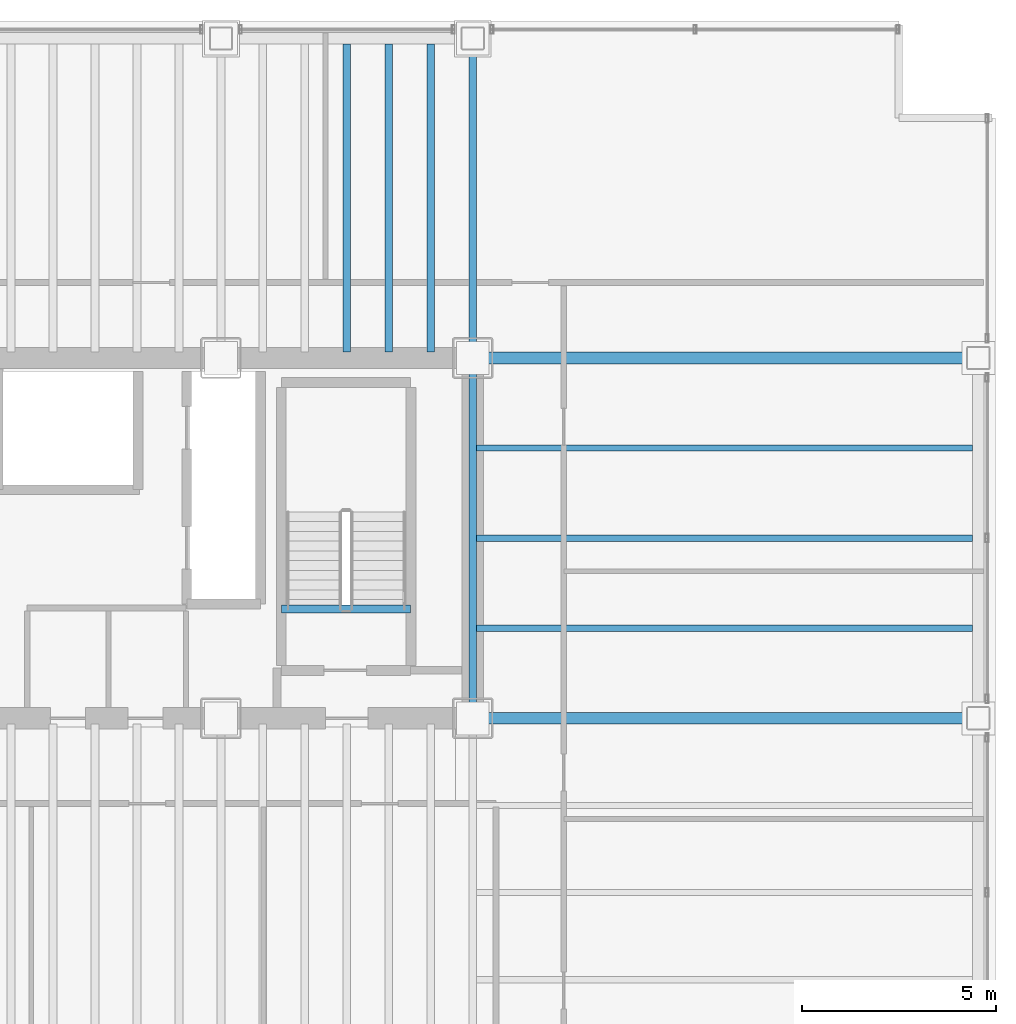
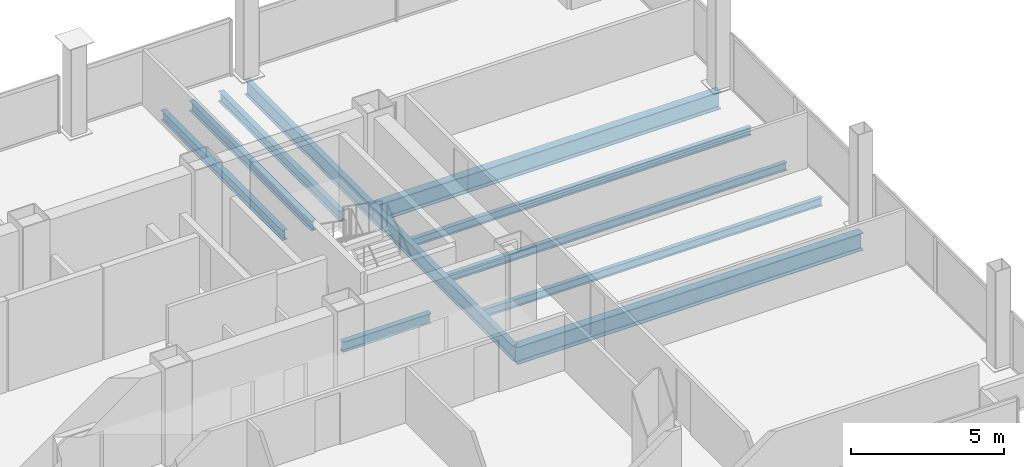
# One storey, part 11 of 21: 11 beams.
"""IFC4 building model written with IfcOpenShell, lengths in metres."""

from ifc_helpers import new_model, si_unit, direction, frame, origin, origin_2d, place, context, subcontext, project, spatial, i_section, extrude, material, material_profile, profile_set, type_object, element, save


model = new_model("IFC4")

# Units and contexts
model_context = context("Model", 3, precision=1e-05, world=origin(), true_north=direction((0.0, 1.0)))
body_context = subcontext(model_context, "Body", "Model", "MODEL_VIEW")
ifc_project = project(units=[si_unit("LENGTHUNIT", "METRE"), si_unit("AREAUNIT", "SQUARE_METRE"), si_unit("VOLUMEUNIT", "CUBIC_METRE"), si_unit("PLANEANGLEUNIT", "RADIAN"), si_unit("MASSUNIT", "GRAM", prefix="KILO")], contexts=[model_context])

# Site, building, storey
site_placement = place(None, origin())
site = spatial("IfcSite", under=ifc_project, at=site_placement, CompositionType="ELEMENT")
building_placement = place(site_placement, origin())
building = spatial("IfcBuilding", under=site, at=building_placement, Name="Noeulbin Bourse Tower", CompositionType="ELEMENT")
storey_placement = place(building_placement, frame((0.0, 0.0, 77.199951171875)))
storey = spatial("IfcBuildingStorey", under=building, at=storey_placement, Name="L19", CompositionType="ELEMENT", Elevation=77.199951171875)

# Beams
ifc_material = material(Name="Steel S355", Category="steel")
ifc_material_profile_1 = material_profile(ifc_material, i_section(OverallWidth=0.199951171875, OverallDepth=0.60009765625, WebThickness=0.010986328125, FlangeThickness=0.01708984375, FilletRadius=0.02197265625, at=origin_2d()), Name="H-600x200x11x17", Category="LoadBearing")
ifc_profile_set_1 = profile_set([ifc_material_profile_1], Name="Steel S355")
beam_type_1 = type_object("IfcBeamType", Name="BM-GRD-600", PredefinedType="USERDEFINED", material=ifc_profile_set_1)
beam_1_placement = place(storey_placement, frame((44.0, 29.0, -0.47998046875), z_axis=(0.0, 1.0, 0.0), x_axis=(-1.0, 0.0, 0.0)))
element("IfcBeam", 1, at=beam_1_placement, inside=storey, type_object=beam_type_1, Name="Tower Primary Girder NS L19-5.3", ObjectType="GIRDER", PredefinedType="USERDEFINED", context=body_context, shape_type="SweptSolid", body=[
    extrude(i_section(OverallWidth=0.199951171875, OverallDepth=0.60009765625, WebThickness=0.010986328125, FlangeThickness=0.01708984375, FilletRadius=0.02197265625, at=origin_2d()), origin(), (0.0, 0.0, 1.0), 9.300048828125),
])
beam_2_placement = place(storey_placement, frame((44.0, 38.300048828125, -0.47998046875), z_axis=(0.0, 1.0, 0.0), x_axis=(-1.0, 0.0, 0.0)))
element("IfcBeam", 2, at=beam_2_placement, inside=storey, type_object=beam_type_1, Name="Tower Primary Girder NS L19-5.4", ObjectType="GIRDER", PredefinedType="USERDEFINED", context=body_context, shape_type="SweptSolid", body=[
    extrude(i_section(OverallWidth=0.199951171875, OverallDepth=0.60009765625, WebThickness=0.010986328125, FlangeThickness=0.01708984375, FilletRadius=0.02197265625, at=origin_2d()), origin(), (0.0, 0.0, 1.0), 8.25),
])
ifc_material_profile_2 = material_profile(ifc_material, i_section(OverallWidth=0.300048828125, OverallDepth=0.699951171875, WebThickness=0.012939453125, FlangeThickness=0.02392578125, FilletRadius=0.02392578125, at=origin_2d()), Name="H-700x300x13x24", Category="LoadBearing")
ifc_profile_set_2 = profile_set([ifc_material_profile_2], Name="Steel S355")
beam_type_2 = type_object("IfcBeamType", Name="BM-GRD-700", PredefinedType="USERDEFINED", material=ifc_profile_set_2)
for number, where, z_axis, x_axis, name in (
    (3, (44.0, 29.0, -0.530029296875), (1.0, 0.0, 0.0), (0.0, 1.0, 0.0), "Tower Primary Girder EW L19-2.6"),
    (4, (44.0, 38.300048828125, -0.530029296875), (1.0, 0.0, 0.0), (0.0, 1.0, 0.0), "Tower Primary Girder EW L19-3.6"),
):
    element("IfcBeam", number, at=place(storey_placement, frame(where, z_axis=z_axis, x_axis=x_axis)), inside=storey, type_object=beam_type_2, Name=name, ObjectType="GIRDER", PredefinedType="USERDEFINED", context=body_context, shape_type="SweptSolid", body=[
        extrude(i_section(OverallWidth=0.300048828125, OverallDepth=0.699951171875, WebThickness=0.012939453125, FlangeThickness=0.02392578125, FilletRadius=0.02392578125, at=origin_2d()), origin(), (0.0, 0.0, 1.0), 13.050048828125),
    ])
ifc_material_profile_3 = material_profile(ifc_material, i_section(OverallWidth=0.159912109375, OverallDepth=0.320068359375, WebThickness=0.006591796875, FlangeThickness=0.010009765625, FilletRadius=0.012939453125, at=origin_2d()), Name="H-320x160x6.5x10", Category="LoadBearing")
ifc_profile_set_3 = profile_set([ifc_material_profile_3], Name="Steel S355")
beam_type_3 = type_object("IfcBeamType", Name="BM-JST-320", PredefinedType="JOIST", material=ifc_profile_set_3)
for number, where, z_axis, x_axis, name in (
    (5, (44.10009765625, 31.324951171875, -0.33984375), (1.0, 0.0, 0.0), (0.0, 1.0, 0.0), "Wing Composite Joist L19-E79"),
    (6, (44.10009765625, 33.64990234375, -0.33984375), (1.0, 0.0, 0.0), (0.0, 1.0, 0.0), "Wing Composite Joist L19-E80"),
    (7, (44.10009765625, 35.97509765625, -0.33984375), (1.0, 0.0, 0.0), (0.0, 1.0, 0.0), "Wing Composite Joist L19-E81"),
):
    element("IfcBeam", number, at=place(storey_placement, frame(where, z_axis=z_axis, x_axis=x_axis)), inside=storey, type_object=beam_type_3, Name=name, PredefinedType="JOIST", context=body_context, shape_type="SweptSolid", body=[
        extrude(i_section(OverallWidth=0.159912109375, OverallDepth=0.320068359375, WebThickness=0.006591796875, FlangeThickness=0.010009765625, FilletRadius=0.012939453125, at=origin_2d()), origin(), (0.0, 0.0, 1.0), 12.7998046875),
    ])
ifc_material_profile_4 = material_profile(ifc_material, i_section(OverallWidth=0.199951171875, OverallDepth=0.39990234375, WebThickness=0.008056640625, FlangeThickness=0.012939453125, FilletRadius=0.01611328125, at=origin_2d()), Name="H-400x200x8x13", Category="LoadBearing")
ifc_profile_set_4 = profile_set([ifc_material_profile_4], Name="Steel S355")
beam_type_4 = type_object("IfcBeamType", Name="BM-SEC-400", PredefinedType="BEAM", material=ifc_profile_set_4)
for number, where, z_axis, x_axis, name in (
    (8, (40.75, 38.449951171875, -0.3798828125), (0.0, 1.0, 0.0), (-1.0, 0.0, 0.0), "Tower Composite Joist L19-63"),
    (9, (41.833251953125, 38.449951171875, -0.3798828125), (0.0, 1.0, 0.0), (-1.0, 0.0, 0.0), "Tower Composite Joist L19-66"),
    (10, (42.916748046875, 38.449951171875, -0.3798828125), (0.0, 1.0, 0.0), (-1.0, 0.0, 0.0), "Tower Composite Joist L19-69"),
):
    element("IfcBeam", number, at=place(storey_placement, frame(where, z_axis=z_axis, x_axis=x_axis)), inside=storey, type_object=beam_type_4, Name=name, PredefinedType="BEAM", context=body_context, shape_type="SweptSolid", body=[
        extrude(i_section(OverallWidth=0.199951171875, OverallDepth=0.39990234375, WebThickness=0.008056640625, FlangeThickness=0.012939453125, FilletRadius=0.01611328125, at=origin_2d()), origin(), (0.0, 0.0, 1.0), 7.949951171875),
    ])
beam_3_placement = place(storey_placement, frame((39.06005859375, 31.820068359375, -0.199951171875), z_axis=(1.0, 0.0, 0.0), x_axis=(0.0, 1.0, 0.0)))
element("IfcBeam", 11, at=beam_3_placement, inside=storey, type_object=beam_type_4, Name="Stair Threshold Trimmer Beam ST2-L19", PredefinedType="BEAM", context=body_context, shape_type="SweptSolid", body=[
    extrude(i_section(OverallWidth=0.199951171875, OverallDepth=0.39990234375, WebThickness=0.008056640625, FlangeThickness=0.012939453125, FilletRadius=0.01611328125, at=origin_2d()), origin(), (0.0, 0.0, 1.0), 3.33984375),
])

save(model, "model.ifc")
